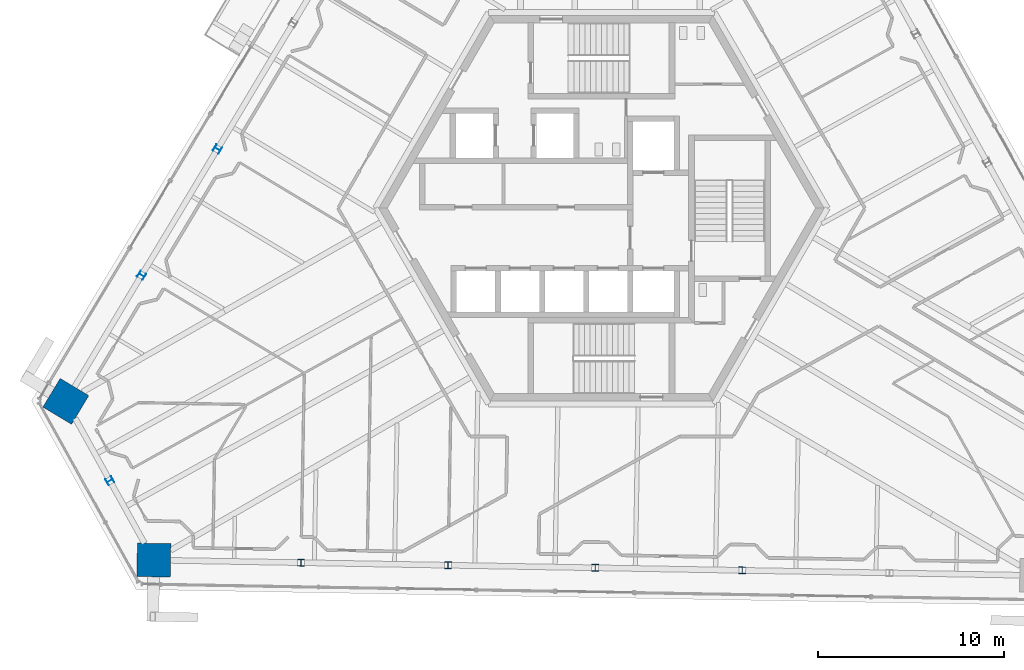
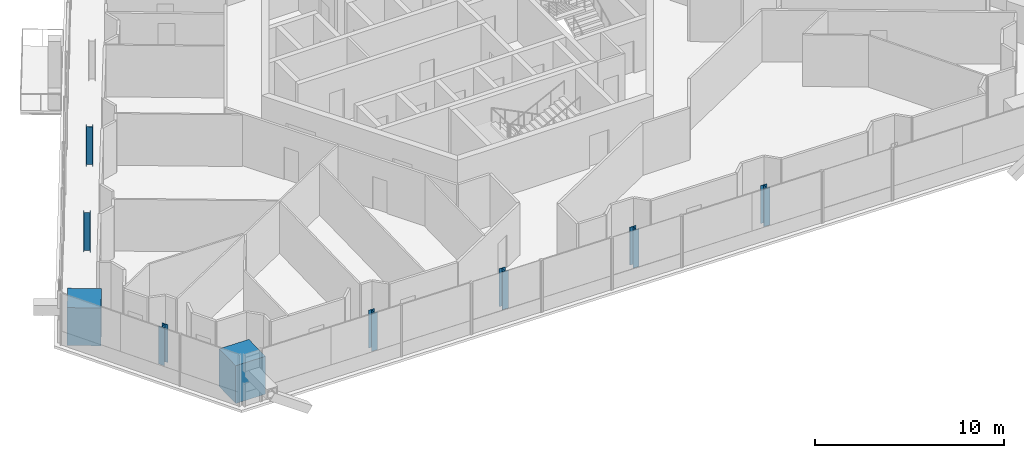
# One storey, part 1 of 24: 9 columns.
"""IFC4 building model written with IfcOpenShell, lengths in metres."""

from ifc_helpers import new_model, si_unit, direction, frame, origin, origin_2d, place, context, subcontext, project, spatial, rectangle, i_section, extrude, source, transform, mapped, material, material_profile, profile_set, type_object, element, save


model = new_model("IFC4")

# Units and contexts
model_context = context("Model", 3, precision=1e-05, world=origin(), true_north=direction((0.0, 1.0)))
body_context = subcontext(model_context, "Body", "Model", "MODEL_VIEW")
ifc_project = project(units=[si_unit("LENGTHUNIT", "METRE"), si_unit("AREAUNIT", "SQUARE_METRE"), si_unit("VOLUMEUNIT", "CUBIC_METRE"), si_unit("PLANEANGLEUNIT", "RADIAN"), si_unit("MASSUNIT", "GRAM", prefix="KILO")], contexts=[model_context])

# Site, building, storey
site_placement = place(None, origin())
site = spatial("IfcSite", under=ifc_project, at=site_placement, CompositionType="ELEMENT")
building_placement = place(site_placement, origin())
building = spatial("IfcBuilding", under=site, at=building_placement, Name="Triune Harvest Tower", CompositionType="ELEMENT")
storey_placement = place(building_placement, frame((0.0, 0.0, 212.300048828125)))
storey = spatial("IfcBuildingStorey", under=building, at=storey_placement, Name="L55", CompositionType="ELEMENT", Elevation=212.300048828125)

# Columns
ifc_material_1 = material(Name="Concrete 70 MPa", Category="concrete")
ifc_material_profile_1 = material_profile(ifc_material_1, rectangle(XDim=1.800048828125, YDim=1.800048828125, at=origin_2d()), Name="Composite 1800x1800")
ifc_profile_set_1 = profile_set([ifc_material_profile_1], Name="Concrete 70 MPa")
column_type_1 = type_object("IfcColumnType", Name="MC-5 Mega column Composite 1800x1800", PredefinedType="COLUMN", material=ifc_profile_set_1)
shared_shape_1 = source(origin(), body_context, "Body", "SweptSolid", [
    extrude(rectangle(XDim=1.800048828125, YDim=1.800048828125, at=origin_2d()), origin(), (0.0, 0.0, 1.0), 2.449951171875),
])
for number, where, z_axis, x_axis, name in (
    (1, (-28.85595703125, -10.406005859375, 0.0), (0.0, 0.0, 1.0), (-0.51503657887, -0.857168199612, 0.0), "col/L55/M14"),
    (2, (-24.1162109375, -18.956787109375, 0.0), (0.0, 0.0, 1.0), (0.999847695156, -0.017452406437, 0.0), "col/L55/M16"),
):
    element("IfcColumn", number, at=place(storey_placement, frame(where, z_axis=z_axis, x_axis=x_axis)), inside=storey, type_object=column_type_1, Name=name, PredefinedType="COLUMN", context=body_context, shape_type="MappedRepresentation", body=[
        mapped(shared_shape_1, transform((0.0, 0.0, 0.0), scale=1.0)),
    ])
ifc_material_2 = material(Name="Steel ASTM A992 Gr 50", Category="steel")
ifc_material_profile_2 = material_profile(ifc_material_2, i_section(OverallWidth=0.370849609375, OverallDepth=0.36328125, WebThickness=0.013427734375, FlangeThickness=0.021728515625, at=origin_2d()), Name="W14x109")
ifc_profile_set_2 = profile_set([ifc_material_profile_2], Name="Steel ASTM A992 Gr 50")
column_type_2 = type_object("IfcColumnType", Name="PC-5 Perimeter column W14x109", PredefinedType="COLUMN", material=ifc_profile_set_2)
shared_shape_2 = source(origin(), body_context, "Body", "SweptSolid", [
    extrude(i_section(OverallWidth=0.370849609375, OverallDepth=0.36328125, WebThickness=0.013427734375, FlangeThickness=0.021728515625, at=origin_2d()), origin(), (0.0, 0.0, 1.0), 2.449951171875),
])
for number, where, z_axis, x_axis, name in (
    (3, (-20.6904296875, 3.183837890625, 0.0), (0.0, 0.0, 1.0), (-0.51503657887, -0.857168199612, 0.0), "col/L55/P12"),
    (4, (-24.773193359375, -3.611083984375, 0.0), (0.0, 0.0, 1.0), (-0.51503657887, -0.857168199612, 0.0), "col/L55/P13"),
    (5, (-26.486083984375, -14.681396484375, 0.0), (0.0, 0.0, 1.0), (0.484808093746, -0.87462055329, 0.0), "col/L55/P15"),
    (6, (-16.190185546875, -19.09521484375, 0.0), (0.0, 0.0, 1.0), (0.999847695156, -0.017452406437, 0.0), "col/L55/P17"),
    (7, (-8.26416015625, -19.233642578125, 0.0), (0.0, 0.0, 1.0), (0.999847695156, -0.017452406437, 0.0), "col/L55/P18"),
    (8, (-0.338134765625, -19.3720703125, 0.0), (0.0, 0.0, 1.0), (0.999847695156, -0.017452406437, 0.0), "col/L55/P19"),
    (9, (7.587890625, -19.510498046875, 0.0), (0.0, 0.0, 1.0), (0.999847695156, -0.017452406437, 0.0), "col/L55/P20"),
):
    element("IfcColumn", number, at=place(storey_placement, frame(where, z_axis=z_axis, x_axis=x_axis)), inside=storey, type_object=column_type_2, Name=name, PredefinedType="COLUMN", context=body_context, shape_type="MappedRepresentation", body=[
        mapped(shared_shape_2, transform((0.0, 0.0, 0.0), scale=1.0)),
    ])

save(model, "model.ifc")
